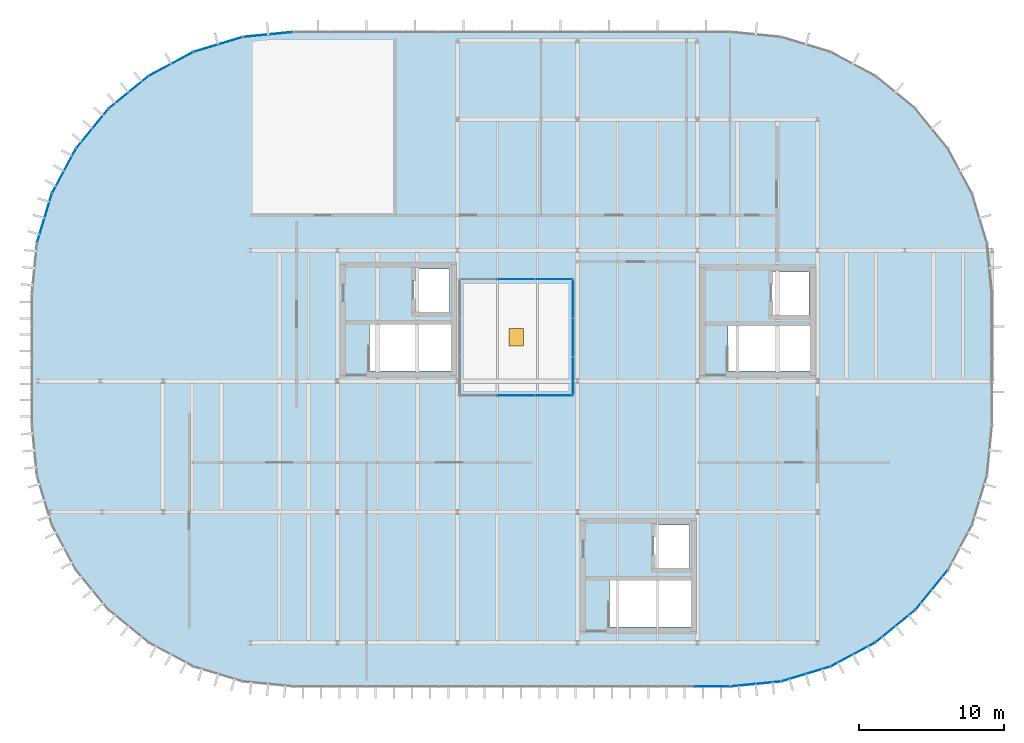
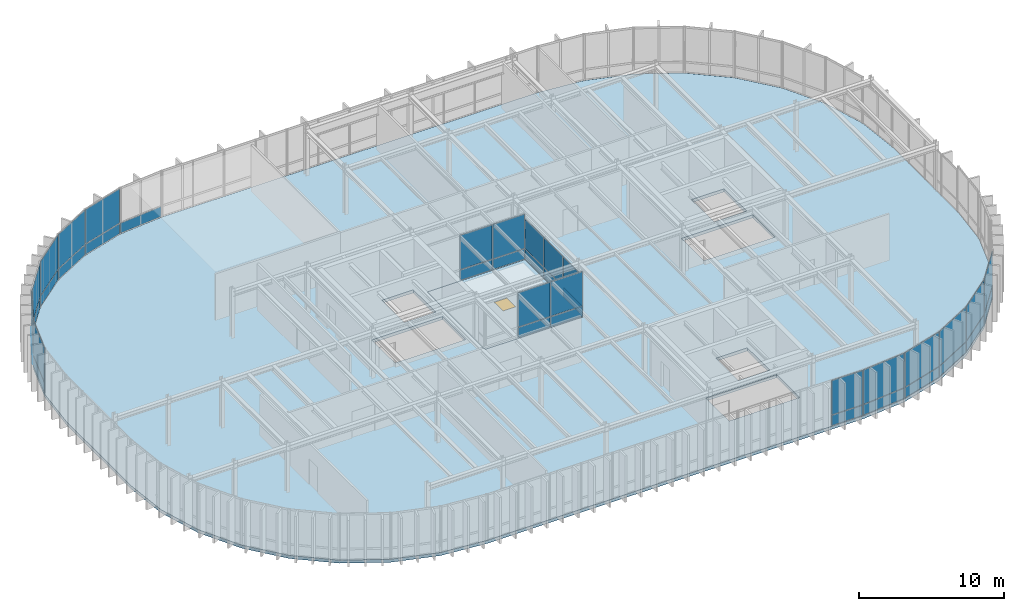
# One storey, part 17 of 21: 39 plates, 2 slabs, 1 door, 7 openings, 17 elements without a shape of their own.
"""IFC4 building model written with IfcOpenShell, lengths in metres."""

from ifc_helpers import new_model, si_unit, direction, frame, origin, origin_2d, place, context, subcontext, project, spatial, polyline, rectangle, outline, extrude, material, layer, layer_set, type_object, element, fill, aggregate, save


model = new_model("IFC4")

# Units and contexts
model_context = context("Model", 3, precision=1e-05, world=origin(), true_north=direction((0.0, 1.0)))
body_context = subcontext(model_context, "Body", "Model", "MODEL_VIEW")
ifc_project = project(units=[si_unit("LENGTHUNIT", "METRE"), si_unit("AREAUNIT", "SQUARE_METRE"), si_unit("VOLUMEUNIT", "CUBIC_METRE"), si_unit("PLANEANGLEUNIT", "RADIAN"), si_unit("MASSUNIT", "GRAM", prefix="KILO")], contexts=[model_context])

# Site, building, storey
site_placement = place(None, origin())
site = spatial("IfcSite", under=ifc_project, at=site_placement, CompositionType="ELEMENT")
building_placement = place(site_placement, origin())
building = spatial("IfcBuilding", under=site, at=building_placement, Name="Montealbar Specialist Clinic", CompositionType="ELEMENT")
storey_placement = place(building_placement, frame((0.0, 0.0, 26.39990234375)))
storey = spatial("IfcBuildingStorey", under=building, at=storey_placement, Name="L06", CompositionType="ELEMENT", Elevation=26.39990234375)

# Curtain wall, plates
ifc_material_1 = material(Name="Low-E double glazing", Category="glass")
ifc_layer_1 = layer(ifc_material_1, 0.199951171875, Name="Low-E double glazing", Category="glass")
ifc_layer_set_1 = layer_set([ifc_layer_1], Name="Low-E double glazing")
curtain_wall_type_1 = type_object("IfcCurtainWallType", Name="CW-TYPE-45", PredefinedType="NOTDEFINED", material=ifc_layer_set_1)
curtain_wall_1_placement = place(storey_placement, origin())
curtain_wall_1 = element("IfcCurtainWall", 1, at=curtain_wall_1_placement, inside=storey, type_object=curtain_wall_type_1, Name="Unitised Curtain Wall CW-L06-744-260-822-260-264", PredefinedType="NOTDEFINED")
ifc_layer_2 = layer(ifc_material_1, 0.028076171875, Name="Low-E double glazing", Category="glass")
ifc_layer_set_2 = layer_set([ifc_layer_2], Name="Low-E double glazing")
plate_type_1 = type_object("IfcPlateType", Name="CW-PNL-IGU28", PredefinedType="CURTAIN_PANEL", material=ifc_layer_set_2)
plate_1_placement = place(storey_placement, frame((78.300048828125, 26.0, 0.070068359375), z_axis=(0.0, 0.0, 1.0), x_axis=(1.0, 0.0, 0.0)))
plate_1 = element("IfcPlate", 2, at=plate_1_placement, type_object=plate_type_1, Name="Glazed Curtain Panel CW-L06-744-260-822-260-264-2-1", PredefinedType="CURTAIN_PANEL", context=body_context, shape_type="SweptSolid", body=[
    extrude(rectangle(XDim=2.528076171875, YDim=0.028076171875, at=origin_2d()), origin(), (0.0, 0.0, 1.0), 0.85009765625),
])
plate_2_placement = place(storey_placement, frame((78.300048828125, 26.0, 0.980224609375), z_axis=(0.0, 0.0, 1.0), x_axis=(1.0, 0.0, 0.0)))
plate_2 = element("IfcPlate", 3, at=plate_2_placement, type_object=plate_type_1, Name="Glazed Curtain Panel CW-L06-744-260-822-260-264-2-2", PredefinedType="CURTAIN_PANEL", context=body_context, shape_type="SweptSolid", body=[
    extrude(rectangle(XDim=2.528076171875, YDim=0.028076171875, at=origin_2d()), origin(), (0.0, 0.0, 1.0), 2.8798828125),
])
plate_3_placement = place(storey_placement, frame((80.89990234375, 26.0, 0.070068359375), z_axis=(0.0, 0.0, 1.0), x_axis=(1.0, 0.0, 0.0)))
plate_3 = element("IfcPlate", 4, at=plate_3_placement, type_object=plate_type_1, Name="Glazed Curtain Panel CW-L06-744-260-822-260-264-3-1", PredefinedType="CURTAIN_PANEL", context=body_context, shape_type="SweptSolid", body=[
    extrude(rectangle(XDim=2.528076171875, YDim=0.028076171875, at=origin_2d()), origin(), (0.0, 0.0, 1.0), 0.85009765625),
])
plate_4_placement = place(storey_placement, frame((80.89990234375, 26.0, 0.980224609375), z_axis=(0.0, 0.0, 1.0), x_axis=(1.0, 0.0, 0.0)))
plate_4 = element("IfcPlate", 5, at=plate_4_placement, type_object=plate_type_1, Name="Glazed Curtain Panel CW-L06-744-260-822-260-264-3-2", PredefinedType="CURTAIN_PANEL", context=body_context, shape_type="SweptSolid", body=[
    extrude(rectangle(XDim=2.528076171875, YDim=0.028076171875, at=origin_2d()), origin(), (0.0, 0.0, 1.0), 2.8798828125),
])
aggregate(curtain_wall_1, [plate_1, plate_2, plate_3, plate_4])

ifc_layer_3 = layer(ifc_material_1, 0.199951171875, Name="Low-E double glazing", Category="glass")
ifc_layer_set_3 = layer_set([ifc_layer_3], Name="Low-E double glazing")
curtain_wall_type_2 = type_object("IfcCurtainWallType", Name="CW-TYPE-46", PredefinedType="NOTDEFINED", material=ifc_layer_set_3)
curtain_wall_2_placement = place(storey_placement, origin())
curtain_wall_2 = element("IfcCurtainWall", 6, at=curtain_wall_2_placement, inside=storey, type_object=curtain_wall_type_2, Name="Unitised Curtain Wall CW-L06-822-260-822-340-264", PredefinedType="NOTDEFINED")
plate_5_placement = place(storey_placement, frame((82.199951171875, 27.3330078125, 0.070068359375), z_axis=(0.0, 0.0, 1.0), x_axis=(0.0, 1.0, 0.0)))
plate_5 = element("IfcPlate", 7, at=plate_5_placement, type_object=plate_type_1, Name="Glazed Curtain Panel CW-L06-822-260-822-340-264-1-1", PredefinedType="CURTAIN_PANEL", context=body_context, shape_type="SweptSolid", body=[
    extrude(rectangle(XDim=2.594970703125, YDim=0.028076171875, at=origin_2d()), origin(), (0.0, 0.0, 1.0), 0.85009765625),
])
plate_6_placement = place(storey_placement, frame((82.199951171875, 27.3330078125, 0.980224609375), z_axis=(0.0, 0.0, 1.0), x_axis=(0.0, 1.0, 0.0)))
plate_6 = element("IfcPlate", 8, at=plate_6_placement, type_object=plate_type_1, Name="Glazed Curtain Panel CW-L06-822-260-822-340-264-1-2", PredefinedType="CURTAIN_PANEL", context=body_context, shape_type="SweptSolid", body=[
    extrude(rectangle(XDim=2.594970703125, YDim=0.028076171875, at=origin_2d()), origin(), (0.0, 0.0, 1.0), 2.47998046875),
])
plate_7_placement = place(storey_placement, frame((82.199951171875, 30.0, 0.070068359375), z_axis=(0.0, 0.0, 1.0), x_axis=(0.0, 1.0, 0.0)))
plate_7 = element("IfcPlate", 9, at=plate_7_placement, type_object=plate_type_1, Name="Glazed Curtain Panel CW-L06-822-260-822-340-264-2-1", PredefinedType="CURTAIN_PANEL", context=body_context, shape_type="SweptSolid", body=[
    extrude(rectangle(XDim=2.594970703125, YDim=0.028076171875, at=origin_2d()), origin(), (0.0, 0.0, 1.0), 0.85009765625),
])
plate_8_placement = place(storey_placement, frame((82.199951171875, 30.0, 0.980224609375), z_axis=(0.0, 0.0, 1.0), x_axis=(0.0, 1.0, 0.0)))
plate_8 = element("IfcPlate", 10, at=plate_8_placement, type_object=plate_type_1, Name="Glazed Curtain Panel CW-L06-822-260-822-340-264-2-2", PredefinedType="CURTAIN_PANEL", context=body_context, shape_type="SweptSolid", body=[
    extrude(rectangle(XDim=2.594970703125, YDim=0.028076171875, at=origin_2d()), origin(), (0.0, 0.0, 1.0), 2.47998046875),
])
plate_9_placement = place(storey_placement, frame((82.199951171875, 32.6669921875, 0.070068359375), z_axis=(0.0, 0.0, 1.0), x_axis=(0.0, 1.0, 0.0)))
plate_9 = element("IfcPlate", 11, at=plate_9_placement, type_object=plate_type_1, Name="Glazed Curtain Panel CW-L06-822-260-822-340-264-3-1", PredefinedType="CURTAIN_PANEL", context=body_context, shape_type="SweptSolid", body=[
    extrude(rectangle(XDim=2.594970703125, YDim=0.028076171875, at=origin_2d()), origin(), (0.0, 0.0, 1.0), 0.85009765625),
])
plate_10_placement = place(storey_placement, frame((82.199951171875, 32.6669921875, 0.980224609375), z_axis=(0.0, 0.0, 1.0), x_axis=(0.0, 1.0, 0.0)))
plate_10 = element("IfcPlate", 12, at=plate_10_placement, type_object=plate_type_1, Name="Glazed Curtain Panel CW-L06-822-260-822-340-264-3-2", PredefinedType="CURTAIN_PANEL", context=body_context, shape_type="SweptSolid", body=[
    extrude(rectangle(XDim=2.594970703125, YDim=0.028076171875, at=origin_2d()), origin(), (0.0, 0.0, 1.0), 2.47998046875),
])
aggregate(curtain_wall_2, [plate_5, plate_6, plate_7, plate_8, plate_9, plate_10])

curtain_wall_3_placement = place(storey_placement, origin())
curtain_wall_3 = element("IfcCurtainWall", 13, at=curtain_wall_3_placement, inside=storey, type_object=curtain_wall_type_1, Name="Unitised Curtain Wall CW-L06-822-340-744-340-264", PredefinedType="NOTDEFINED")
plate_11_placement = place(storey_placement, frame((80.89990234375, 34.0, 0.070068359375), z_axis=(0.0, 0.0, 1.0), x_axis=(-1.0, 0.0, 0.0)))
plate_11 = element("IfcPlate", 14, at=plate_11_placement, type_object=plate_type_1, Name="Glazed Curtain Panel CW-L06-822-340-744-340-264-1-1", PredefinedType="CURTAIN_PANEL", context=body_context, shape_type="SweptSolid", body=[
    extrude(rectangle(XDim=2.528076171875, YDim=0.028076171875, at=origin_2d()), origin(), (0.0, 0.0, 1.0), 0.85009765625),
])
plate_12_placement = place(storey_placement, frame((80.89990234375, 34.0, 0.980224609375), z_axis=(0.0, 0.0, 1.0), x_axis=(-1.0, 0.0, 0.0)))
plate_12 = element("IfcPlate", 15, at=plate_12_placement, type_object=plate_type_1, Name="Glazed Curtain Panel CW-L06-822-340-744-340-264-1-2", PredefinedType="CURTAIN_PANEL", context=body_context, shape_type="SweptSolid", body=[
    extrude(rectangle(XDim=2.528076171875, YDim=0.028076171875, at=origin_2d()), origin(), (0.0, 0.0, 1.0), 2.8798828125),
])
plate_13_placement = place(storey_placement, frame((78.300048828125, 34.0, 0.070068359375), z_axis=(0.0, 0.0, 1.0), x_axis=(-1.0, 0.0, 0.0)))
plate_13 = element("IfcPlate", 16, at=plate_13_placement, type_object=plate_type_1, Name="Glazed Curtain Panel CW-L06-822-340-744-340-264-2-1", PredefinedType="CURTAIN_PANEL", context=body_context, shape_type="SweptSolid", body=[
    extrude(rectangle(XDim=2.528076171875, YDim=0.028076171875, at=origin_2d()), origin(), (0.0, 0.0, 1.0), 0.85009765625),
])
plate_14_placement = place(storey_placement, frame((78.300048828125, 34.0, 0.980224609375), z_axis=(0.0, 0.0, 1.0), x_axis=(-1.0, 0.0, 0.0)))
plate_14 = element("IfcPlate", 17, at=plate_14_placement, type_object=plate_type_1, Name="Glazed Curtain Panel CW-L06-822-340-744-340-264-2-2", PredefinedType="CURTAIN_PANEL", context=body_context, shape_type="SweptSolid", body=[
    extrude(rectangle(XDim=2.528076171875, YDim=0.028076171875, at=origin_2d()), origin(), (0.0, 0.0, 1.0), 2.8798828125),
])
aggregate(curtain_wall_3, [plate_11, plate_12, plate_13, plate_14])

ifc_layer_4 = layer(ifc_material_1, 0.199951171875, Name="Low-E double glazing", Category="glass")
ifc_layer_set_4 = layer_set([ifc_layer_4], Name="Low-E double glazing")
curtain_wall_type_3 = type_object("IfcCurtainWallType", Name="CW-TYPE-12", PredefinedType="NOTDEFINED", material=ifc_layer_set_4)
curtain_wall_4_placement = place(storey_placement, origin())
curtain_wall_4 = element("IfcCurtainWall", 18, at=curtain_wall_4_placement, inside=storey, type_object=curtain_wall_type_3, Name="Unitised Curtain Wall CW-L06-453-365-464-399-264", PredefinedType="NOTDEFINED")
ifc_layer_5 = layer(ifc_material_1, 0.0380859375, Name="Low-E double glazing", Category="glass")
ifc_layer_set_5 = layer_set([ifc_layer_5], Name="Low-E double glazing")
plate_type_2 = type_object("IfcPlateType", Name="CW-PNL-IGU38", PredefinedType="CURTAIN_PANEL", material=ifc_layer_set_5)
plate_15_placement = place(storey_placement, frame((45.85791015625, 38.199951171875, 0.070068359375), z_axis=(0.0, 0.0, 1.0), x_axis=(0.290259134399, 0.956948083701, 0.0)))
plate_15 = element("IfcPlate", 19, at=plate_15_placement, type_object=plate_type_2, Name="Glazed Curtain Panel CW-L06-453-365-464-399-264-1-1", PredefinedType="CURTAIN_PANEL", context=body_context, shape_type="SweptSolid", body=[
    extrude(rectangle(XDim=3.444091796875, YDim=0.0380859375, at=origin_2d()), origin(), (0.0, 0.0, 1.0), 0.85009765625),
])
plate_16_placement = place(storey_placement, frame((45.85791015625, 38.199951171875, 0.980224609375), z_axis=(0.0, 0.0, 1.0), x_axis=(0.290259134399, 0.956948083701, 0.0)))
plate_16 = element("IfcPlate", 20, at=plate_16_placement, type_object=plate_type_2, Name="Glazed Curtain Panel CW-L06-453-365-464-399-264-1-2", PredefinedType="CURTAIN_PANEL", context=body_context, shape_type="SweptSolid", body=[
    extrude(rectangle(XDim=3.444091796875, YDim=0.0380859375, at=origin_2d()), origin(), (0.0, 0.0, 1.0), 2.8798828125),
])
aggregate(curtain_wall_4, [plate_15, plate_16])

curtain_wall_5_placement = place(storey_placement, origin())
curtain_wall_5 = element("IfcCurtainWall", 21, at=curtain_wall_5_placement, inside=storey, type_object=curtain_wall_type_3, Name="Unitised Curtain Wall CW-L06-464-399-480-430-264", PredefinedType="NOTDEFINED")
plate_17_placement = place(storey_placement, frame((47.201904296875, 41.444091796875, 0.070068359375), z_axis=(0.0, 0.0, 1.0), x_axis=(0.471529268958, 0.881850411644, 0.0)))
plate_17 = element("IfcPlate", 22, at=plate_17_placement, type_object=plate_type_2, Name="Glazed Curtain Panel CW-L06-464-399-480-430-264-1-1", PredefinedType="CURTAIN_PANEL", context=body_context, shape_type="SweptSolid", body=[
    extrude(rectangle(XDim=3.445068359375, YDim=0.0380859375, at=origin_2d()), origin(), (0.0, 0.0, 1.0), 0.85009765625),
])
plate_18_placement = place(storey_placement, frame((47.201904296875, 41.444091796875, 0.980224609375), z_axis=(0.0, 0.0, 1.0), x_axis=(0.471529268958, 0.881850411644, 0.0)))
plate_18 = element("IfcPlate", 23, at=plate_18_placement, type_object=plate_type_2, Name="Glazed Curtain Panel CW-L06-464-399-480-430-264-1-2", PredefinedType="CURTAIN_PANEL", context=body_context, shape_type="SweptSolid", body=[
    extrude(rectangle(XDim=3.445068359375, YDim=0.0380859375, at=origin_2d()), origin(), (0.0, 0.0, 1.0), 2.8798828125),
])
aggregate(curtain_wall_5, [plate_17, plate_18])

curtain_wall_6_placement = place(storey_placement, origin())
curtain_wall_6 = element("IfcCurtainWall", 24, at=curtain_wall_6_placement, inside=storey, type_object=curtain_wall_type_3, Name="Unitised Curtain Wall CW-L06-480-430-503-457-264", PredefinedType="NOTDEFINED")
plate_19_placement = place(storey_placement, frame((49.153076171875, 44.364013671875, 0.070068359375), z_axis=(0.0, 0.0, 1.0), x_axis=(0.634255808922, 0.773123255923, 0.0)))
plate_19 = element("IfcPlate", 25, at=plate_19_placement, type_object=plate_type_2, Name="Glazed Curtain Panel CW-L06-480-430-503-457-264-1-1", PredefinedType="CURTAIN_PANEL", context=body_context, shape_type="SweptSolid", body=[
    extrude(rectangle(XDim=3.445068359375, YDim=0.0380859375, at=origin_2d()), origin(), (0.0, 0.0, 1.0), 0.85009765625),
])
plate_20_placement = place(storey_placement, frame((49.153076171875, 44.364013671875, 0.980224609375), z_axis=(0.0, 0.0, 1.0), x_axis=(0.634255808922, 0.773123255923, 0.0)))
plate_20 = element("IfcPlate", 26, at=plate_20_placement, type_object=plate_type_2, Name="Glazed Curtain Panel CW-L06-480-430-503-457-264-1-2", PredefinedType="CURTAIN_PANEL", context=body_context, shape_type="SweptSolid", body=[
    extrude(rectangle(XDim=3.445068359375, YDim=0.0380859375, at=origin_2d()), origin(), (0.0, 0.0, 1.0), 2.8798828125),
])
aggregate(curtain_wall_6, [plate_19, plate_20])

curtain_wall_7_placement = place(storey_placement, origin())
curtain_wall_7 = element("IfcCurtainWall", 27, at=curtain_wall_7_placement, inside=storey, type_object=curtain_wall_type_3, Name="Unitised Curtain Wall CW-L06-503-457-530-480-264", PredefinedType="NOTDEFINED")
plate_21_placement = place(storey_placement, frame((51.635986328125, 46.846923828125, 0.070068359375), z_axis=(0.0, 0.0, 1.0), x_axis=(0.773123255923, 0.634255808922, 0.0)))
plate_21 = element("IfcPlate", 28, at=plate_21_placement, type_object=plate_type_2, Name="Glazed Curtain Panel CW-L06-503-457-530-480-264-1-1", PredefinedType="CURTAIN_PANEL", context=body_context, shape_type="SweptSolid", body=[
    extrude(rectangle(XDim=3.445068359375, YDim=0.0380859375, at=origin_2d()), origin(), (0.0, 0.0, 1.0), 0.85009765625),
])
plate_22_placement = place(storey_placement, frame((51.635986328125, 46.846923828125, 0.980224609375), z_axis=(0.0, 0.0, 1.0), x_axis=(0.773123255923, 0.634255808922, 0.0)))
plate_22 = element("IfcPlate", 29, at=plate_22_placement, type_object=plate_type_2, Name="Glazed Curtain Panel CW-L06-503-457-530-480-264-1-2", PredefinedType="CURTAIN_PANEL", context=body_context, shape_type="SweptSolid", body=[
    extrude(rectangle(XDim=3.445068359375, YDim=0.0380859375, at=origin_2d()), origin(), (0.0, 0.0, 1.0), 2.8798828125),
])
aggregate(curtain_wall_7, [plate_21, plate_22])

curtain_wall_8_placement = place(storey_placement, origin())
curtain_wall_8 = element("IfcCurtainWall", 30, at=curtain_wall_8_placement, inside=storey, type_object=curtain_wall_type_3, Name="Unitised Curtain Wall CW-L06-530-480-561-496-264", PredefinedType="NOTDEFINED")
plate_23_placement = place(storey_placement, frame((54.555908203125, 48.798095703125, 0.070068359375), z_axis=(0.0, 0.0, 1.0), x_axis=(0.881850411644, 0.471529268958, 0.0)))
plate_23 = element("IfcPlate", 31, at=plate_23_placement, type_object=plate_type_2, Name="Glazed Curtain Panel CW-L06-530-480-561-496-264-1-1", PredefinedType="CURTAIN_PANEL", context=body_context, shape_type="SweptSolid", body=[
    extrude(rectangle(XDim=3.445068359375, YDim=0.0380859375, at=origin_2d()), origin(), (0.0, 0.0, 1.0), 0.85009765625),
])
plate_24_placement = place(storey_placement, frame((54.555908203125, 48.798095703125, 0.980224609375), z_axis=(0.0, 0.0, 1.0), x_axis=(0.881850411644, 0.471529268958, 0.0)))
plate_24 = element("IfcPlate", 32, at=plate_24_placement, type_object=plate_type_2, Name="Glazed Curtain Panel CW-L06-530-480-561-496-264-1-2", PredefinedType="CURTAIN_PANEL", context=body_context, shape_type="SweptSolid", body=[
    extrude(rectangle(XDim=3.445068359375, YDim=0.0380859375, at=origin_2d()), origin(), (0.0, 0.0, 1.0), 2.8798828125),
])
aggregate(curtain_wall_8, [plate_23, plate_24])

curtain_wall_9_placement = place(storey_placement, origin())
curtain_wall_9 = element("IfcCurtainWall", 33, at=curtain_wall_9_placement, inside=storey, type_object=curtain_wall_type_3, Name="Unitised Curtain Wall CW-L06-561-496-595-507-264", PredefinedType="NOTDEFINED")
plate_25_placement = place(storey_placement, frame((57.800048828125, 50.14208984375, 0.070068359375), z_axis=(0.0, 0.0, 1.0), x_axis=(0.956948083701, 0.290259134399, 0.0)))
plate_25 = element("IfcPlate", 34, at=plate_25_placement, type_object=plate_type_2, Name="Glazed Curtain Panel CW-L06-561-496-595-507-264-1-1", PredefinedType="CURTAIN_PANEL", context=body_context, shape_type="SweptSolid", body=[
    extrude(rectangle(XDim=3.444091796875, YDim=0.0380859375, at=origin_2d()), origin(), (0.0, 0.0, 1.0), 0.85009765625),
])
plate_26_placement = place(storey_placement, frame((57.800048828125, 50.14208984375, 0.980224609375), z_axis=(0.0, 0.0, 1.0), x_axis=(0.956948083701, 0.290259134399, 0.0)))
plate_26 = element("IfcPlate", 35, at=plate_26_placement, type_object=plate_type_2, Name="Glazed Curtain Panel CW-L06-561-496-595-507-264-1-2", PredefinedType="CURTAIN_PANEL", context=body_context, shape_type="SweptSolid", body=[
    extrude(rectangle(XDim=3.444091796875, YDim=0.0380859375, at=origin_2d()), origin(), (0.0, 0.0, 1.0), 2.8798828125),
])
aggregate(curtain_wall_9, [plate_25, plate_26])

# Curtain wall, plate
curtain_wall_10_placement = place(storey_placement, origin())
curtain_wall_10 = element("IfcCurtainWall", 36, at=curtain_wall_10_placement, inside=storey, type_object=curtain_wall_type_3, Name="Unitised Curtain Wall CW-L06-595-507-630-510-264", PredefinedType="NOTDEFINED")
plate_27_placement = place(storey_placement, frame((61.243896484375, 50.826904296875, 0.070068359375), z_axis=(0.0, 0.0, 1.0), x_axis=(0.995182012183, 0.098044697094, 0.0)))
plate_27 = element("IfcPlate", 37, at=plate_27_placement, type_object=plate_type_2, Name="Glazed Curtain Panel CW-L06-595-507-630-510-264-1-1", PredefinedType="CURTAIN_PANEL", context=body_context, shape_type="SweptSolid", body=[
    extrude(rectangle(XDim=3.445068359375, YDim=0.0380859375, at=origin_2d()), origin(), (0.0, 0.0, 1.0), 0.85009765625),
])
aggregate(curtain_wall_10, [plate_27])

# Curtain wall, plates
curtain_wall_11_placement = place(storey_placement, origin())
curtain_wall_11 = element("IfcCurtainWall", 38, at=curtain_wall_11_placement, inside=storey, type_object=curtain_wall_type_3, Name="Unitised Curtain Wall CW-L06-1080-140-1057-113-264", PredefinedType="NOTDEFINED")
plate_28_placement = place(storey_placement, frame((106.846923828125, 12.635986328125, 0.070068359375), z_axis=(0.0, 0.0, 1.0), x_axis=(-0.634255808922, -0.773123255923, 0.0)))
plate_28 = element("IfcPlate", 39, at=plate_28_placement, type_object=plate_type_2, Name="Glazed Curtain Panel CW-L06-1080-140-1057-113-264-1-1", PredefinedType="CURTAIN_PANEL", context=body_context, shape_type="SweptSolid", body=[
    extrude(rectangle(XDim=3.445068359375, YDim=0.0380859375, at=origin_2d()), origin(), (0.0, 0.0, 1.0), 0.85009765625),
])
plate_29_placement = place(storey_placement, frame((106.846923828125, 12.635986328125, 0.980224609375), z_axis=(0.0, 0.0, 1.0), x_axis=(-0.634255808922, -0.773123255923, 0.0)))
plate_29 = element("IfcPlate", 40, at=plate_29_placement, type_object=plate_type_2, Name="Glazed Curtain Panel CW-L06-1080-140-1057-113-264-1-2", PredefinedType="CURTAIN_PANEL", context=body_context, shape_type="SweptSolid", body=[
    extrude(rectangle(XDim=3.445068359375, YDim=0.0380859375, at=origin_2d()), origin(), (0.0, 0.0, 1.0), 2.8798828125),
])
aggregate(curtain_wall_11, [plate_28, plate_29])

curtain_wall_12_placement = place(storey_placement, origin())
curtain_wall_12 = element("IfcCurtainWall", 41, at=curtain_wall_12_placement, inside=storey, type_object=curtain_wall_type_3, Name="Unitised Curtain Wall CW-L06-1057-113-1030-90-264", PredefinedType="NOTDEFINED")
plate_30_placement = place(storey_placement, frame((104.364013671875, 10.153076171875, 0.070068359375), z_axis=(0.0, 0.0, 1.0), x_axis=(-0.773123255923, -0.634255808922, 0.0)))
plate_30 = element("IfcPlate", 42, at=plate_30_placement, type_object=plate_type_2, Name="Glazed Curtain Panel CW-L06-1057-113-1030-90-264-1-1", PredefinedType="CURTAIN_PANEL", context=body_context, shape_type="SweptSolid", body=[
    extrude(rectangle(XDim=3.445068359375, YDim=0.0380859375, at=origin_2d()), origin(), (0.0, 0.0, 1.0), 0.85009765625),
])
plate_31_placement = place(storey_placement, frame((104.364013671875, 10.153076171875, 0.980224609375), z_axis=(0.0, 0.0, 1.0), x_axis=(-0.773123255923, -0.634255808922, 0.0)))
plate_31 = element("IfcPlate", 43, at=plate_31_placement, type_object=plate_type_2, Name="Glazed Curtain Panel CW-L06-1057-113-1030-90-264-1-2", PredefinedType="CURTAIN_PANEL", context=body_context, shape_type="SweptSolid", body=[
    extrude(rectangle(XDim=3.445068359375, YDim=0.0380859375, at=origin_2d()), origin(), (0.0, 0.0, 1.0), 2.8798828125),
])
aggregate(curtain_wall_12, [plate_30, plate_31])

curtain_wall_13_placement = place(storey_placement, origin())
curtain_wall_13 = element("IfcCurtainWall", 44, at=curtain_wall_13_placement, inside=storey, type_object=curtain_wall_type_3, Name="Unitised Curtain Wall CW-L06-1030-90-999-74-264", PredefinedType="NOTDEFINED")
plate_32_placement = place(storey_placement, frame((101.444091796875, 8.201904296875, 0.070068359375), z_axis=(0.0, 0.0, 1.0), x_axis=(-0.881850411644, -0.471529268958, 0.0)))
plate_32 = element("IfcPlate", 45, at=plate_32_placement, type_object=plate_type_2, Name="Glazed Curtain Panel CW-L06-1030-90-999-74-264-1-1", PredefinedType="CURTAIN_PANEL", context=body_context, shape_type="SweptSolid", body=[
    extrude(rectangle(XDim=3.445068359375, YDim=0.0380859375, at=origin_2d()), origin(), (0.0, 0.0, 1.0), 0.85009765625),
])
plate_33_placement = place(storey_placement, frame((101.444091796875, 8.201904296875, 0.980224609375), z_axis=(0.0, 0.0, 1.0), x_axis=(-0.881850411644, -0.471529268958, 0.0)))
plate_33 = element("IfcPlate", 46, at=plate_33_placement, type_object=plate_type_2, Name="Glazed Curtain Panel CW-L06-1030-90-999-74-264-1-2", PredefinedType="CURTAIN_PANEL", context=body_context, shape_type="SweptSolid", body=[
    extrude(rectangle(XDim=3.445068359375, YDim=0.0380859375, at=origin_2d()), origin(), (0.0, 0.0, 1.0), 2.8798828125),
])
aggregate(curtain_wall_13, [plate_32, plate_33])

curtain_wall_14_placement = place(storey_placement, origin())
curtain_wall_14 = element("IfcCurtainWall", 47, at=curtain_wall_14_placement, inside=storey, type_object=curtain_wall_type_3, Name="Unitised Curtain Wall CW-L06-999-74-965-63-264", PredefinedType="NOTDEFINED")
plate_34_placement = place(storey_placement, frame((98.199951171875, 6.85791015625, 0.070068359375), z_axis=(0.0, 0.0, 1.0), x_axis=(-0.956948083701, -0.290259134399, 0.0)))
plate_34 = element("IfcPlate", 48, at=plate_34_placement, type_object=plate_type_2, Name="Glazed Curtain Panel CW-L06-999-74-965-63-264-1-1", PredefinedType="CURTAIN_PANEL", context=body_context, shape_type="SweptSolid", body=[
    extrude(rectangle(XDim=3.444091796875, YDim=0.0380859375, at=origin_2d()), origin(), (0.0, 0.0, 1.0), 0.85009765625),
])
plate_35_placement = place(storey_placement, frame((98.199951171875, 6.85791015625, 0.980224609375), z_axis=(0.0, 0.0, 1.0), x_axis=(-0.956948083701, -0.290259134399, 0.0)))
plate_35 = element("IfcPlate", 49, at=plate_35_placement, type_object=plate_type_2, Name="Glazed Curtain Panel CW-L06-999-74-965-63-264-1-2", PredefinedType="CURTAIN_PANEL", context=body_context, shape_type="SweptSolid", body=[
    extrude(rectangle(XDim=3.444091796875, YDim=0.0380859375, at=origin_2d()), origin(), (0.0, 0.0, 1.0), 2.8798828125),
])
aggregate(curtain_wall_14, [plate_34, plate_35])

curtain_wall_15_placement = place(storey_placement, origin())
curtain_wall_15 = element("IfcCurtainWall", 50, at=curtain_wall_15_placement, inside=storey, type_object=curtain_wall_type_3, Name="Unitised Curtain Wall CW-L06-965-63-930-60-264", PredefinedType="NOTDEFINED")
plate_36_placement = place(storey_placement, frame((94.756103515625, 6.173095703125, 0.070068359375), z_axis=(0.0, 0.0, 1.0), x_axis=(-0.995182012183, -0.098044697094, 0.0)))
plate_36 = element("IfcPlate", 51, at=plate_36_placement, type_object=plate_type_2, Name="Glazed Curtain Panel CW-L06-965-63-930-60-264-1-1", PredefinedType="CURTAIN_PANEL", context=body_context, shape_type="SweptSolid", body=[
    extrude(rectangle(XDim=3.445068359375, YDim=0.0380859375, at=origin_2d()), origin(), (0.0, 0.0, 1.0), 0.85009765625),
])
plate_37_placement = place(storey_placement, frame((94.756103515625, 6.173095703125, 0.980224609375), z_axis=(0.0, 0.0, 1.0), x_axis=(-0.995182012183, -0.098044697094, 0.0)))
plate_37 = element("IfcPlate", 52, at=plate_37_placement, type_object=plate_type_2, Name="Glazed Curtain Panel CW-L06-965-63-930-60-264-1-2", PredefinedType="CURTAIN_PANEL", context=body_context, shape_type="SweptSolid", body=[
    extrude(rectangle(XDim=3.445068359375, YDim=0.0380859375, at=origin_2d()), origin(), (0.0, 0.0, 1.0), 2.8798828125),
])
aggregate(curtain_wall_15, [plate_36, plate_37])

ifc_layer_6 = layer(ifc_material_1, 0.199951171875, Name="Low-E double glazing", Category="glass")
ifc_layer_set_6 = layer_set([ifc_layer_6], Name="Low-E double glazing")
curtain_wall_type_4 = type_object("IfcCurtainWallType", Name="CW-TYPE-43", PredefinedType="NOTDEFINED", material=ifc_layer_set_6)
curtain_wall_16_placement = place(storey_placement, origin())
curtain_wall_16 = element("IfcCurtainWall", 53, at=curtain_wall_16_placement, inside=storey, type_object=curtain_wall_type_4, Name="Unitised Curtain Wall CW-L06-930-60-830-60-264", PredefinedType="NOTDEFINED")
plate_38_placement = place(storey_placement, frame((91.75, 6.0, 0.070068359375), z_axis=(0.0, 0.0, 1.0), x_axis=(-1.0, 0.0, 0.0)))
plate_38 = element("IfcPlate", 54, at=plate_38_placement, type_object=plate_type_2, Name="Glazed Curtain Panel CW-L06-930-60-830-60-264-1-1", PredefinedType="CURTAIN_PANEL", context=body_context, shape_type="SweptSolid", body=[
    extrude(rectangle(XDim=2.416015625, YDim=0.0380859375, at=origin_2d()), origin(), (0.0, 0.0, 1.0), 0.85009765625),
])
plate_39_placement = place(storey_placement, frame((91.75, 6.0, 0.980224609375), z_axis=(0.0, 0.0, 1.0), x_axis=(-1.0, 0.0, 0.0)))
plate_39 = element("IfcPlate", 55, at=plate_39_placement, type_object=plate_type_2, Name="Glazed Curtain Panel CW-L06-930-60-830-60-264-1-2", PredefinedType="CURTAIN_PANEL", context=body_context, shape_type="SweptSolid", body=[
    extrude(rectangle(XDim=2.416015625, YDim=0.0380859375, at=origin_2d()), origin(), (0.0, 0.0, 1.0), 2.8798828125),
])
aggregate(curtain_wall_16, [plate_38, plate_39])

# Slab, openings
ifc_material_2 = material(Name="Concrete C35/45", Category="concrete")
ifc_layer_7 = layer(ifc_material_2, 0.260009765625, Name="Concrete C35/45", Category="concrete")
ifc_layer_set_7 = layer_set([ifc_layer_7], Name="Concrete C35/45")
slab_type_1 = type_object("IfcSlabType", Name="SL-FLR-200", PredefinedType="FLOOR", material=ifc_layer_set_7)
slab_1_placement = place(storey_placement, frame((0.0, 0.0, -0.260009765625)))
slab_1 = element("IfcSlab", 56, at=slab_1_placement, inside=storey, type_object=slab_type_1, Name="Structural Slab L06 Wing 1", PredefinedType="FLOOR", context=body_context, shape_type="SweptSolid", body=[
    extrude(outline(polyline([(45.0, 33.0), (45.345947265625, 36.511962890625), (46.3701171875, 39.887939453125), (48.033935546875, 43.0), (50.27197265625, 45.72802734375), (53.0, 47.966064453125), (56.112060546875, 49.6298828125), (59.488037109375, 50.654052734375), (63.0, 51.0), (93.0, 51.0), (96.511962890625, 50.654052734375), (99.887939453125, 49.6298828125), (103.0, 47.966064453125), (105.72802734375, 45.72802734375), (107.966064453125, 43.0), (109.6298828125, 39.887939453125), (110.654052734375, 36.511962890625), (111.0, 33.0), (111.0, 24.0), (110.654052734375, 20.488037109375), (109.6298828125, 17.112060546875), (107.966064453125, 14.0), (105.72802734375, 11.27197265625), (103.0, 9.033935546875), (99.887939453125, 7.3701171875), (96.511962890625, 6.345947265625), (93.0, 6.0), (63.0, 6.0), (59.488037109375, 6.345947265625), (56.112060546875, 7.3701171875), (53.0, 9.033935546875), (50.27197265625, 11.27197265625), (48.033935546875, 14.0), (46.3701171875, 17.112060546875), (45.345947265625, 20.488037109375), (45.0, 24.0), (45.0, 33.0)]), holes=[polyline([(82.199951171875, 26.0), (82.199951171875, 34.0), (74.39990234375, 34.0), (74.39990234375, 26.0), (82.199951171875, 26.0)]), polyline([(84.699951171875, 10.10009765625), (90.35009765625, 10.10009765625), (90.35009765625, 13.300048828125), (84.699951171875, 13.300048828125), (84.699951171875, 10.10009765625)]), polyline([(87.697998046875, 17.10205078125), (87.697998046875, 13.998046875), (90.201904296875, 13.998046875), (90.201904296875, 17.10205078125), (87.697998046875, 17.10205078125)]), polyline([(92.85009765625, 30.800048828125), (92.85009765625, 27.699951171875), (98.550048828125, 27.699951171875), (98.550048828125, 30.800048828125), (92.85009765625, 30.800048828125)]), polyline([(68.199951171875, 27.699951171875), (73.85009765625, 27.699951171875), (73.85009765625, 30.89990234375), (68.199951171875, 30.89990234375), (68.199951171875, 27.699951171875)]), polyline([(95.798095703125, 34.501953125), (95.798095703125, 31.39794921875), (98.402099609375, 31.39794921875), (98.402099609375, 34.501953125), (95.798095703125, 34.501953125)]), polyline([(71.197998046875, 34.701904296875), (71.197998046875, 31.597900390625), (73.701904296875, 31.597900390625), (73.701904296875, 34.701904296875), (71.197998046875, 34.701904296875)])]), origin(), (0.0, 0.0, 1.0), 0.260009765625),
])
opening_1_placement = place(slab_1_placement, frame((71.02490234375, 29.2998046875, -0.010009765625)))
element("IfcOpeningElement", 57, at=opening_1_placement, cuts=slab_1, Name="Opening STAIRVOID-C3-L06-1", PredefinedType="OPENING", context=body_context, shape_type="SweptSolid", body=[
    extrude(rectangle(XDim=5.646240234375, YDim=3.196044921875, at=origin_2d()), origin(), (0.0, 0.0, 1.0), 0.280029296875),
])
opening_2_placement = place(slab_1_placement, frame((72.449951171875, 33.14990234375, -0.010009765625)))
element("IfcOpeningElement", 58, at=opening_2_placement, cuts=slab_1, Name="Opening LIFTSHAFT-FL-01-L06", PredefinedType="OPENING", context=body_context, shape_type="SweptSolid", body=[
    extrude(rectangle(XDim=2.5, YDim=3.10009765625, at=origin_2d()), origin(), (0.0, 0.0, 1.0), 0.280029296875),
])
opening_3_placement = place(slab_1_placement, frame((87.52490234375, 11.7001953125, -0.010009765625)))
element("IfcOpeningElement", 59, at=opening_3_placement, cuts=slab_1, Name="Opening STAIRVOID-C4-L06-1", PredefinedType="OPENING", context=body_context, shape_type="SweptSolid", body=[
    extrude(rectangle(XDim=5.646240234375, YDim=3.196044921875, at=origin_2d()), origin(), (0.0, 0.0, 1.0), 0.280029296875),
])
opening_4_placement = place(slab_1_placement, frame((88.949951171875, 15.550048828125, -0.010009765625)))
element("IfcOpeningElement", 60, at=opening_4_placement, cuts=slab_1, Name="Opening LIFTSHAFT-FL-02-L06", PredefinedType="OPENING", context=body_context, shape_type="SweptSolid", body=[
    extrude(rectangle(XDim=2.5, YDim=3.10009765625, at=origin_2d()), origin(), (0.0, 0.0, 1.0), 0.280029296875),
])
opening_5_placement = place(slab_1_placement, frame((95.7001953125, 29.25, -0.010009765625)))
element("IfcOpeningElement", 61, at=opening_5_placement, cuts=slab_1, Name="Opening STAIRVOID-C5-L06-1", PredefinedType="OPENING", context=body_context, shape_type="SweptSolid", body=[
    extrude(rectangle(XDim=5.696044921875, YDim=3.09619140625, at=origin_2d()), origin(), (0.0, 0.0, 1.0), 0.280029296875),
])
opening_6_placement = place(slab_1_placement, frame((97.10009765625, 32.949951171875, -0.010009765625)))
element("IfcOpeningElement", 62, at=opening_6_placement, cuts=slab_1, Name="Opening LIFTSHAFT-LF-03-L06", PredefinedType="OPENING", context=body_context, shape_type="SweptSolid", body=[
    extrude(rectangle(XDim=2.60009765625, YDim=3.10009765625, at=origin_2d()), origin(), (0.0, 0.0, 1.0), 0.280029296875),
])

# Roof, slab, opening, door
ifc_material_3 = material(Name="Weatherproof roofing membrane", Category="concrete")
roof_type = type_object("IfcRoofType", Name="ROOF-CONT-FLAT", PredefinedType="FLAT_ROOF", material=ifc_material_3)
roof_placement = place(storey_placement, origin())
roof = element("IfcRoof", 63, at=roof_placement, inside=storey, type_object=roof_type, Name="Flat Roof Assembly ROOF-L06-01", PredefinedType="FLAT_ROOF")
ifc_layer_8 = layer(ifc_material_2, 0.27001953125, Name="Concrete C35/45", Category="concrete")
ifc_layer_set_8 = layer_set([ifc_layer_8], Name="Concrete C35/45")
slab_type_2 = type_object("IfcSlabType", Name="SL-ROOF-220", PredefinedType="ROOF", material=ifc_layer_set_8)
slab_2_placement = place(storey_placement, frame((0.0, 0.0, -0.27001953125)))
slab_2 = element("IfcSlab", 64, at=slab_2_placement, type_object=slab_type_2, Name="Roof Slab ROOF-L06-01", PredefinedType="ROOF", context=body_context, shape_type="SweptSolid", body=[
    extrude(outline(polyline([(82.199951171875, 34.0), (82.199951171875, 26.0), (74.39990234375, 26.0), (74.39990234375, 34.0), (82.199951171875, 34.0)]), holes=[polyline([(78.7900390625, 30.590087890625), (77.81005859375, 30.590087890625), (77.81005859375, 29.409912109375), (78.7900390625, 29.409912109375), (78.7900390625, 30.590087890625)])]), origin(), (0.0, 0.0, 1.0), 0.27001953125),
])
opening_7_placement = place(slab_2_placement, frame((78.300048828125, 30.0, -0.010009765625)))
opening_7 = element("IfcOpeningElement", 65, at=opening_7_placement, cuts=slab_2, Name="Opening HT-01", PredefinedType="OPENING", context=body_context, shape_type="SweptSolid", body=[
    extrude(rectangle(XDim=1.0, YDim=1.199951171875, at=origin_2d()), origin(), (0.0, 0.0, 1.0), 0.2900390625),
])
ifc_material_4 = material(Name="Powder-coated aluminium", Category="aluminium")
door_type = type_object("IfcDoorType", Name="DR-HATCH-RF01", OperationType="SINGLE_SWING_LEFT", PredefinedType="TRAPDOOR", material=ifc_material_4)
door_placement = place(slab_2_placement, frame((78.300048828125, 30.0, 0.219970703125)))
door = element("IfcDoor", 66, at=door_placement, inside=storey, type_object=door_type, Name="Roof Maintenance Access Hatch HT-17", OperationType="SINGLE_SWING_LEFT", OverallHeight=1.199951171875, OverallWidth=1.0, PredefinedType="TRAPDOOR", context=body_context, shape_type="SweptSolid", body=[
    extrude(rectangle(XDim=1.0, YDim=1.199951171875, at=origin_2d()), origin(), (0.0, 0.0, 1.0), 0.050048828125),
])
fill(opening_7, door)
aggregate(roof, [slab_2])

save(model, "model.ifc")
